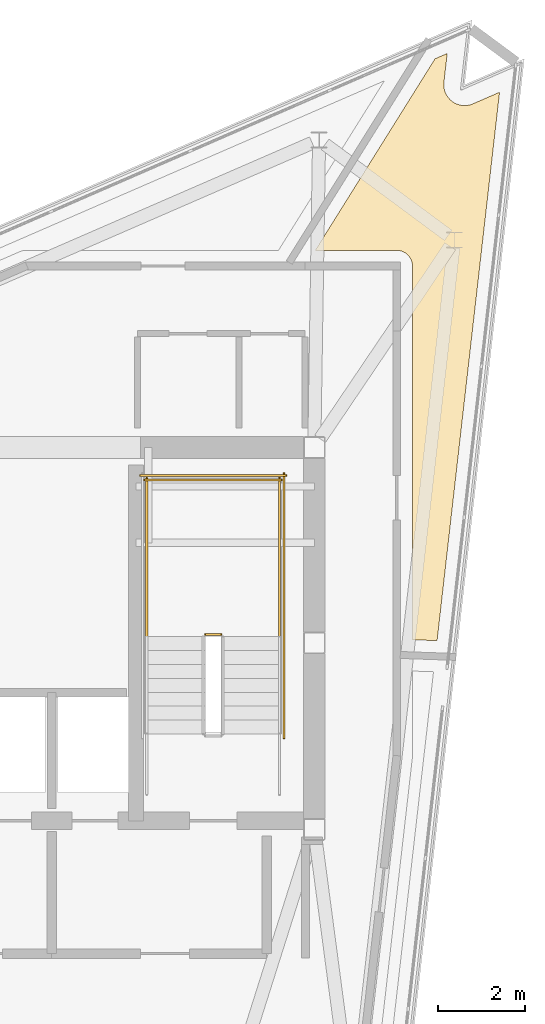
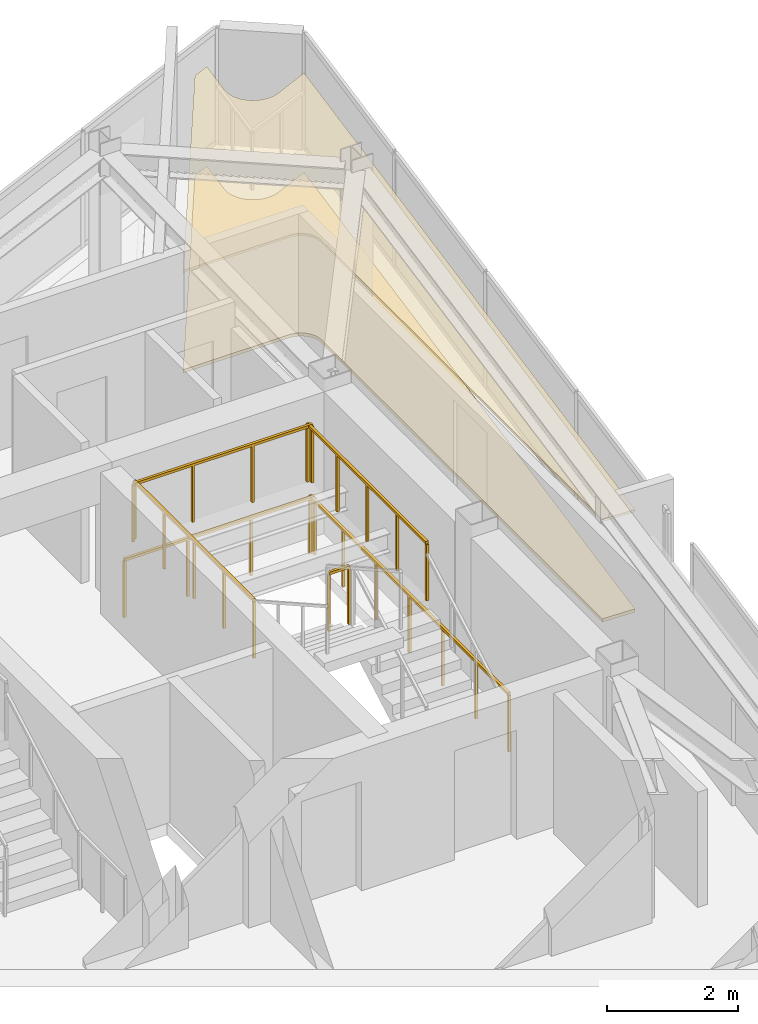
# One storey, part 10 of 10: 6 railings, 2 coverings.
"""IFC4 building model written with IfcOpenShell, lengths in metres."""

from ifc_helpers import new_model, si_unit, direction, frame, origin, origin_2d, place, context, subcontext, project, spatial, polyline, rectangle, outline, extrude, material, layer, layer_set, type_object, element, save


model = new_model("IFC4")

# Units and contexts
model_context = context("Model", 3, precision=1e-05, world=origin(), true_north=direction((0.0, 1.0)))
body_context = subcontext(model_context, "Body", "Model", "MODEL_VIEW")
ifc_project = project(units=[si_unit("LENGTHUNIT", "METRE"), si_unit("AREAUNIT", "SQUARE_METRE"), si_unit("VOLUMEUNIT", "CUBIC_METRE"), si_unit("PLANEANGLEUNIT", "RADIAN"), si_unit("MASSUNIT", "GRAM", prefix="KILO")], contexts=[model_context])

# Site, building, storey
site_placement = place(None, origin())
site = spatial("IfcSite", under=ifc_project, at=site_placement, CompositionType="ELEMENT")
building_placement = place(site_placement, origin())
building = spatial("IfcBuilding", under=site, at=building_placement, Name="Rocaltana Carrier Exchange", CompositionType="ELEMENT")
storey_placement = place(building_placement, frame((0.0, 0.0, 252.0)))
storey = spatial("IfcBuildingStorey", under=building, at=storey_placement, Name="L80", CompositionType="ELEMENT", Elevation=252.0)

# Coverings
ifc_material_1 = material(Name="Calcium Sulphate & Aluminium Pedestal", Category="aluminium")
ifc_layer_1 = layer(ifc_material_1, 0.06005859375)
ifc_layer_set_1 = layer_set([ifc_layer_1], Name="Calcium Sulphate & Aluminium Pedestal")
covering_type_1 = type_object("IfcCoveringType", Name="Anti-Static Raised Exchange Access Floor 60", PredefinedType="FLOORING", material=ifc_layer_set_1)
covering_1_placement = place(storey_placement, origin())
element("IfcCovering", 1, at=covering_1_placement, inside=storey, type_object=covering_type_1, Name="L80 Photonic Integration Workshop Finish Floor", PredefinedType="FLOORING", context=body_context, shape_type="SweptSolid", body=[
    extrude(outline(polyline([(9.111572265625, 13.574462890625), (9.035888671875, 12.91015625), (9.03466796875, 12.896240234375), (9.033447265625, 12.876220703125), (9.032958984375, 12.848388671875), (9.03369140625, 12.82861328125), (9.0361328125, 12.80078125), (9.038818359375, 12.781005859375), (9.0439453125, 12.75341796875), (9.048583984375, 12.734130859375), (9.056396484375, 12.707275390625), (9.06298828125, 12.6884765625), (9.073486328125, 12.66259765625), (9.081787109375, 12.64453125), (9.094970703125, 12.619873046875), (9.10498046875, 12.602783203125), (9.12060546875, 12.579345703125), (9.13232421875, 12.5634765625), (9.14990234375, 12.541748046875), (9.163330078125, 12.52685546875), (9.18310546875, 12.507080078125), (9.19775390625, 12.493896484375), (9.219482421875, 12.47607421875), (9.2353515625, 12.464111328125), (9.2587890625, 12.44873046875), (9.27587890625, 12.438720703125), (9.300537109375, 12.425537109375), (9.318603515625, 12.4169921875), (9.344482421875, 12.406494140625), (9.36328125, 12.39990234375), (9.389892578125, 12.391845703125), (9.4091796875, 12.38720703125), (9.436767578125, 12.382080078125), (9.45654296875, 12.37939453125), (9.484375, 12.376708984375), (9.504150390625, 12.3759765625), (9.531982421875, 12.376220703125), (9.552001953125, 12.377685546875), (9.579833984375, 12.380615234375), (9.599609375, 12.3837890625), (9.626708984375, 12.3896484375), (9.64599609375, 12.394775390625), (9.672607421875, 12.4033203125), (9.69140625, 12.410400390625), (9.7041015625, 12.41552734375), (10.3173828125, 12.68212890625), (8.878173828125, 0.05029296875), (8.31005859375, 0.070068359375), (8.31005859375, 8.679931640625), (8.309814453125, 8.693603515625), (8.309326171875, 8.70166015625), (8.306640625, 8.72900390625), (8.305419921875, 8.73681640625), (8.300048828125, 8.763671875), (8.298095703125, 8.771240234375), (8.290283203125, 8.797607421875), (8.28759765625, 8.804931640625), (8.277099609375, 8.830322265625), (8.273681640625, 8.83740234375), (8.2607421875, 8.86181640625), (8.256591796875, 8.868408203125), (8.241455078125, 8.89111328125), (8.23681640625, 8.8974609375), (8.21923828125, 8.918701171875), (8.214111328125, 8.924560546875), (8.194580078125, 8.944091796875), (8.188720703125, 8.94921875), (8.16748046875, 8.966796875), (8.1611328125, 8.971435546875), (8.138427734375, 8.98681640625), (8.131591796875, 8.99072265625), (8.107421875, 9.003662109375), (8.100341796875, 9.007080078125), (8.074951171875, 9.017578125), (8.067626953125, 9.020263671875), (8.041259765625, 9.0283203125), (8.03369140625, 9.030029296875), (8.006591796875, 9.035400390625), (7.998779296875, 9.03662109375), (7.9716796875, 9.039306640625), (7.963623046875, 9.039794921875), (7.949951171875, 9.0400390625), (6.0732421875, 9.0400390625), (8.830322265625, 13.4521484375), (9.111572265625, 13.574462890625)])), origin(), (0.0, 0.0, 1.0), 0.06005859375),
])
ifc_material_2 = material(Name="Mineral Fibre & Powder-Coated Aluminium", Category="aluminium")
ifc_layer_2 = layer(ifc_material_2, 0.044921875)
ifc_layer_set_2 = layer_set([ifc_layer_2], Name="Mineral Fibre & Powder-Coated Aluminium")
covering_type_2 = type_object("IfcCoveringType", Name="Micro-Perforated Acoustic Ceiling 45", PredefinedType="CEILING", material=ifc_layer_set_2)
covering_2_placement = place(storey_placement, frame((0.0, 0.0, 1.873046875)))
element("IfcCovering", 2, at=covering_2_placement, inside=storey, type_object=covering_type_2, Name="L80 Photonic Integration Workshop Acoustic Ceiling", PredefinedType="CEILING", context=body_context, shape_type="SweptSolid", body=[
    extrude(outline(polyline([(9.111572265625, 13.574462890625), (9.035888671875, 12.91015625), (9.03466796875, 12.896240234375), (9.033447265625, 12.876220703125), (9.032958984375, 12.848388671875), (9.03369140625, 12.82861328125), (9.0361328125, 12.80078125), (9.038818359375, 12.781005859375), (9.0439453125, 12.75341796875), (9.048583984375, 12.734130859375), (9.056396484375, 12.707275390625), (9.06298828125, 12.6884765625), (9.073486328125, 12.66259765625), (9.081787109375, 12.64453125), (9.094970703125, 12.619873046875), (9.10498046875, 12.602783203125), (9.12060546875, 12.579345703125), (9.13232421875, 12.5634765625), (9.14990234375, 12.541748046875), (9.163330078125, 12.52685546875), (9.18310546875, 12.507080078125), (9.19775390625, 12.493896484375), (9.219482421875, 12.47607421875), (9.2353515625, 12.464111328125), (9.2587890625, 12.44873046875), (9.27587890625, 12.438720703125), (9.300537109375, 12.425537109375), (9.318603515625, 12.4169921875), (9.344482421875, 12.406494140625), (9.36328125, 12.39990234375), (9.389892578125, 12.391845703125), (9.4091796875, 12.38720703125), (9.436767578125, 12.382080078125), (9.45654296875, 12.37939453125), (9.484375, 12.376708984375), (9.504150390625, 12.3759765625), (9.531982421875, 12.376220703125), (9.552001953125, 12.377685546875), (9.579833984375, 12.380615234375), (9.599609375, 12.3837890625), (9.626708984375, 12.3896484375), (9.64599609375, 12.394775390625), (9.672607421875, 12.4033203125), (9.69140625, 12.410400390625), (9.7041015625, 12.41552734375), (10.3173828125, 12.68212890625), (8.878173828125, 0.05029296875), (8.31005859375, 0.070068359375), (8.31005859375, 8.679931640625), (8.309814453125, 8.693603515625), (8.309326171875, 8.70166015625), (8.306640625, 8.72900390625), (8.305419921875, 8.73681640625), (8.300048828125, 8.763671875), (8.298095703125, 8.771240234375), (8.290283203125, 8.797607421875), (8.28759765625, 8.804931640625), (8.277099609375, 8.830322265625), (8.273681640625, 8.83740234375), (8.2607421875, 8.86181640625), (8.256591796875, 8.868408203125), (8.241455078125, 8.89111328125), (8.23681640625, 8.8974609375), (8.21923828125, 8.918701171875), (8.214111328125, 8.924560546875), (8.194580078125, 8.944091796875), (8.188720703125, 8.94921875), (8.16748046875, 8.966796875), (8.1611328125, 8.971435546875), (8.138427734375, 8.98681640625), (8.131591796875, 8.99072265625), (8.107421875, 9.003662109375), (8.100341796875, 9.007080078125), (8.074951171875, 9.017578125), (8.067626953125, 9.020263671875), (8.041259765625, 9.0283203125), (8.03369140625, 9.030029296875), (8.006591796875, 9.035400390625), (7.998779296875, 9.03662109375), (7.9716796875, 9.039306640625), (7.963623046875, 9.039794921875), (7.949951171875, 9.0400390625), (6.0732421875, 9.0400390625), (8.830322265625, 13.4521484375), (9.111572265625, 13.574462890625)])), origin(), (0.0, 0.0, 1.0), 0.044921875),
])

# Railings
ifc_material_3 = material(Name="Powder-Coated Aluminium 6063-T6", Category="aluminium")
ifc_layer_3 = layer(ifc_material_3, 0.048095703125)
ifc_layer_set_3 = layer_set([ifc_layer_3], Name="Powder-Coated Aluminium 6063-T6")
railing_type = type_object("IfcRailingType", Name="Stair Well Guardrail 1100", PredefinedType="GUARDRAIL", material=ifc_layer_set_3)
railing_1_placement = place(storey_placement, frame((3.89990234375, 0.18994140625, 1.43994140625)))
element("IfcRailing", 3, at=railing_1_placement, inside=storey, type_object=railing_type, Name="L80 ST-2 stair guard 2", PredefinedType="GUARDRAIL", context=body_context, shape_type="SweptSolid", body=[
    extrude(rectangle(XDim=0.048095703125, YDim=0.048095703125, at=origin_2d()), frame((0.0, 0.0, 1.076171875), z_axis=(-1.0, 0.0, 0.0), x_axis=(0.0, -1.0, 0.0)), (0.0, 0.0, 1.0), 0.35986328125),
    extrude(rectangle(XDim=0.0419921875, YDim=0.0419921875, at=origin_2d()), origin(), (0.0, 0.0, 1.0), 1.052001953125),
    extrude(rectangle(XDim=0.0419921875, YDim=0.0419921875, at=origin_2d()), frame((-0.35986328125, 0.0, 0.0)), (0.0, 0.0, 1.0), 1.052001953125),
])
for number, where, name in (
    (4, (5.25, 0.139892578125, 1.43994140625), "L80 ST-2 stair guard 3"),
    (5, (2.18994140625, 0.139892578125, 1.43994140625), "L80 ST-2 stair guard 4"),
):
    element("IfcRailing", number, at=place(storey_placement, frame(where)), inside=storey, type_object=railing_type, Name=name, PredefinedType="GUARDRAIL", context=body_context, shape_type="SweptSolid", body=[
        extrude(rectangle(XDim=0.048095703125, YDim=0.048095703125, at=origin_2d()), frame((0.0, 0.0, 1.076171875), z_axis=(0.0, 1.0, 0.0), x_axis=(-1.0, 0.0, 0.0)), (0.0, 0.0, 1.0), 3.66015625),
        extrude(rectangle(XDim=0.0419921875, YDim=0.0419921875, at=origin_2d()), origin(), (0.0, 0.0, 1.0), 1.052001953125),
        extrude(rectangle(XDim=0.0419921875, YDim=0.0419921875, at=origin_2d()), frame((0.0, 0.9150390625, 0.0)), (0.0, 0.0, 1.0), 1.052001953125),
        extrude(rectangle(XDim=0.0419921875, YDim=0.0419921875, at=origin_2d()), frame((0.0, 1.830078125, 0.0)), (0.0, 0.0, 1.0), 1.052001953125),
        extrude(rectangle(XDim=0.0419921875, YDim=0.0419921875, at=origin_2d()), frame((0.0, 2.7451171875, 0.0)), (0.0, 0.0, 1.0), 1.052001953125),
        extrude(rectangle(XDim=0.0419921875, YDim=0.0419921875, at=origin_2d()), frame((0.0, 3.66015625, 0.0)), (0.0, 0.0, 1.0), 1.052001953125),
    ])
railing_2_placement = place(storey_placement, frame((5.300048828125, 3.75, 1.43994140625)))
element("IfcRailing", 6, at=railing_2_placement, inside=storey, type_object=railing_type, Name="L80 ST-2 stair guard 5", PredefinedType="GUARDRAIL", context=body_context, shape_type="SweptSolid", body=[
    extrude(rectangle(XDim=0.048095703125, YDim=0.048095703125, at=origin_2d()), frame((0.0, 0.0, 1.076171875), z_axis=(-1.0, 0.0, 0.0), x_axis=(0.0, -1.0, 0.0)), (0.0, 0.0, 1.0), 3.16015625),
    extrude(rectangle(XDim=0.0419921875, YDim=0.0419921875, at=origin_2d()), origin(), (0.0, 0.0, 1.0), 1.052001953125),
    extrude(rectangle(XDim=0.0419921875, YDim=0.0419921875, at=origin_2d()), frame((-1.053466796875, 0.0, 0.0)), (0.0, 0.0, 1.0), 1.052001953125),
    extrude(rectangle(XDim=0.0419921875, YDim=0.0419921875, at=origin_2d()), frame((-2.106689453125, 0.0, 0.0)), (0.0, 0.0, 1.0), 1.052001953125),
    extrude(rectangle(XDim=0.0419921875, YDim=0.0419921875, at=origin_2d()), frame((-3.16015625, 0.0, 0.0)), (0.0, 0.0, 1.0), 1.052001953125),
])
railing_3_placement = place(storey_placement, frame((5.35009765625, -2.199951171875, 0.0)))
element("IfcRailing", 7, at=railing_3_placement, inside=storey, type_object=railing_type, Name="L80 ST-2 stair guard 10", PredefinedType="GUARDRAIL", context=body_context, shape_type="SweptSolid", body=[
    extrude(rectangle(XDim=0.048095703125, YDim=0.048095703125, at=origin_2d()), frame((0.0, 0.0, 1.076171875), z_axis=(0.0, 1.0, 0.0), x_axis=(-1.0, 0.0, 0.0)), (0.0, 0.0, 1.0), 6.099853515625),
    extrude(rectangle(XDim=0.0419921875, YDim=0.0419921875, at=origin_2d()), origin(), (0.0, 0.0, 1.0), 1.052001953125),
    extrude(rectangle(XDim=0.0419921875, YDim=0.0419921875, at=origin_2d()), frame((0.0, 1.0166015625, 0.0)), (0.0, 0.0, 1.0), 1.052001953125),
    extrude(rectangle(XDim=0.0419921875, YDim=0.0419921875, at=origin_2d()), frame((0.0, 2.033203125, 0.0)), (0.0, 0.0, 1.0), 1.052001953125),
    extrude(rectangle(XDim=0.0419921875, YDim=0.0419921875, at=origin_2d()), frame((0.0, 3.0498046875, 0.0)), (0.0, 0.0, 1.0), 1.052001953125),
    extrude(rectangle(XDim=0.0419921875, YDim=0.0419921875, at=origin_2d()), frame((0.0, 4.066650390625, 0.0)), (0.0, 0.0, 1.0), 1.052001953125),
    extrude(rectangle(XDim=0.0419921875, YDim=0.0419921875, at=origin_2d()), frame((0.0, 5.083251953125, 0.0)), (0.0, 0.0, 1.0), 1.052001953125),
    extrude(rectangle(XDim=0.0419921875, YDim=0.0419921875, at=origin_2d()), frame((0.0, 6.099853515625, 0.0)), (0.0, 0.0, 1.0), 1.052001953125),
])
railing_4_placement = place(storey_placement, frame((5.39990234375, 3.85009765625, 0.0)))
element("IfcRailing", 8, at=railing_4_placement, inside=storey, type_object=railing_type, Name="L80 ST-2 stair guard 12", PredefinedType="GUARDRAIL", context=body_context, shape_type="SweptSolid", body=[
    extrude(rectangle(XDim=0.048095703125, YDim=0.048095703125, at=origin_2d()), frame((0.0, 0.0, 1.076171875), z_axis=(-1.0, 0.0, 0.0), x_axis=(0.0, -1.0, 0.0)), (0.0, 0.0, 1.0), 3.35986328125),
    extrude(rectangle(XDim=0.0419921875, YDim=0.0419921875, at=origin_2d()), origin(), (0.0, 0.0, 1.0), 1.052001953125),
    extrude(rectangle(XDim=0.0419921875, YDim=0.0419921875, at=origin_2d()), frame((-1.119873046875, 0.0, 0.0)), (0.0, 0.0, 1.0), 1.052001953125),
    extrude(rectangle(XDim=0.0419921875, YDim=0.0419921875, at=origin_2d()), frame((-2.239990234375, 0.0, 0.0)), (0.0, 0.0, 1.0), 1.052001953125),
    extrude(rectangle(XDim=0.0419921875, YDim=0.0419921875, at=origin_2d()), frame((-3.35986328125, 0.0, 0.0)), (0.0, 0.0, 1.0), 1.052001953125),
])

save(model, "model.ifc")
